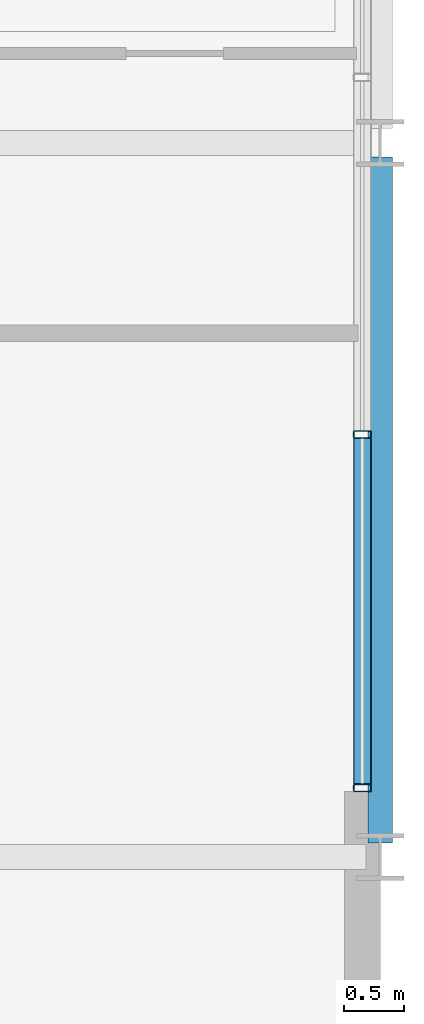
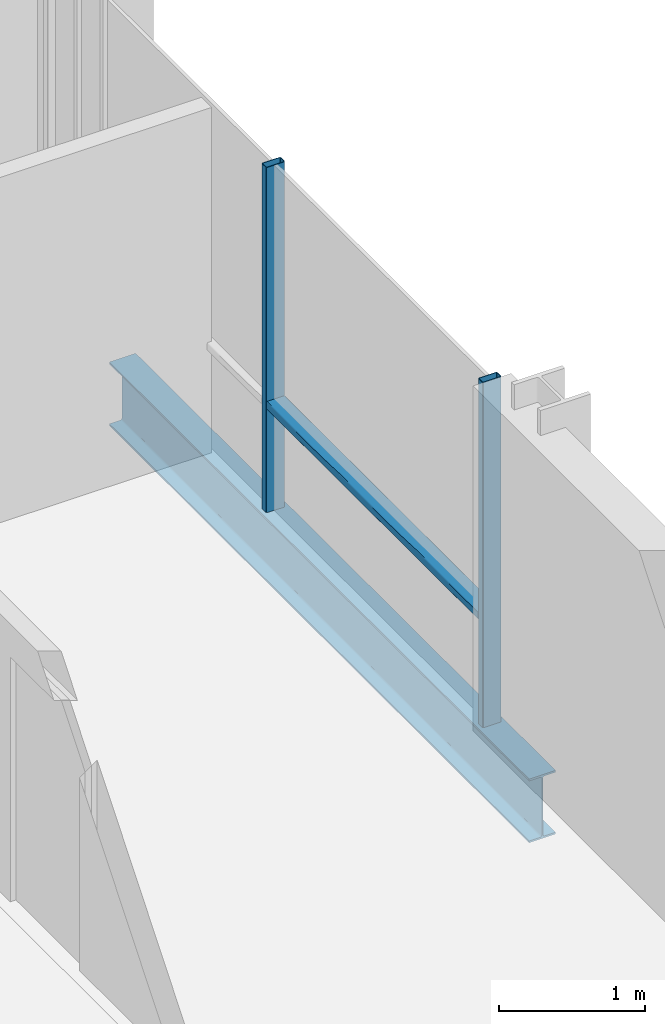
# One storey, part 18 of 35: 3 members, 1 beam, 1 element without a shape of its own.
"""IFC4 building model written with IfcOpenShell, lengths in metres."""

from ifc_helpers import new_model, si_unit, direction, frame, origin, origin_2d, place, context, subcontext, project, spatial, hollow_rectangle, i_section, extrude, material, layer, layer_set, material_profile, profile_set, type_object, element, aggregate, save


model = new_model("IFC4")

# Units and contexts
model_context = context("Model", 3, precision=1e-05, world=origin(), true_north=direction((0.0, 1.0)))
body_context = subcontext(model_context, "Body", "Model", "MODEL_VIEW")
ifc_project = project(units=[si_unit("LENGTHUNIT", "METRE"), si_unit("AREAUNIT", "SQUARE_METRE"), si_unit("VOLUMEUNIT", "CUBIC_METRE"), si_unit("PLANEANGLEUNIT", "RADIAN"), si_unit("MASSUNIT", "GRAM", prefix="KILO")], contexts=[model_context])

# Site, building, storey
site_placement = place(None, origin())
site = spatial("IfcSite", under=ifc_project, at=site_placement, CompositionType="ELEMENT")
building_placement = place(site_placement, origin())
building = spatial("IfcBuilding", under=site, at=building_placement, Name="Brevholm Reach", CompositionType="ELEMENT")
storey_placement = place(building_placement, frame((0.0, 0.0, 183.199951171875)))
storey = spatial("IfcBuildingStorey", under=building, at=storey_placement, Name="L55", CompositionType="ELEMENT", Elevation=183.199951171875)

# Beam
ifc_material_1 = material(Name="Structural Steel S355J2", Category="steel")
ifc_material_profile_1 = material_profile(ifc_material_1, i_section(OverallWidth=0.209228515625, OverallDepth=0.533203125, WebThickness=0.010009765625, FlangeThickness=0.015625, FilletRadius=0.0126953125, at=origin_2d()), Name="UKB 533x210x92")
ifc_profile_set_1 = profile_set([ifc_material_profile_1], Name="Structural Steel S355J2")
beam_type = type_object("IfcBeamType", Name="BM-SP533", PredefinedType="SPANDREL", material=ifc_profile_set_1)
beam_placement = place(storey_placement, frame((60.0, 10.1201171875, -0.4765625), z_axis=(0.0, 1.0, 0.0), x_axis=(-1.0, 0.0, 0.0)))
element("IfcBeam", 1, at=beam_placement, inside=storey, type_object=beam_type, Name="L55 SP-02 Framing Beam", PredefinedType="SPANDREL", context=body_context, shape_type="SweptSolid", body=[
    extrude(i_section(OverallWidth=0.209228515625, OverallDepth=0.533203125, WebThickness=0.010009765625, FlangeThickness=0.015625, FilletRadius=0.0126953125, at=origin_2d()), origin(), (0.0, 0.0, 1.0), 5.759765625),
])

# Curtain wall, members
ifc_material_2 = material(Name="Dark Anodised Aluminium 6063-T6 and Solar-Control Glass", Category="aluminium")
ifc_layer = layer(ifc_material_2, 0.14990234375)
ifc_layer_set = layer_set([ifc_layer], Name="Dark Anodised Aluminium 6063-T6 and Solar-Control Glass")
curtain_wall_type = type_object("IfcCurtainWallType", Name="CW-01", PredefinedType="NOTDEFINED", material=ifc_layer_set)
curtain_wall_placement = place(storey_placement, origin())
curtain_wall = element("IfcCurtainWall", 2, at=curtain_wall_placement, inside=storey, type_object=curtain_wall_type, Name="L55 Curtain Wall CW-01", PredefinedType="NOTDEFINED")
ifc_material_3 = material(Name="Dark Anodised Aluminium 6063-T6", Category="aluminium")
ifc_material_profile_2 = material_profile(ifc_material_3, hollow_rectangle(XDim=0.06494140625, YDim=0.14990234375, WallThickness=0.0048828125, InnerFilletRadius=0.0048828125, OuterFilletRadius=0.010009765625, at=origin_2d()), Name="RHS 150x65x5")
ifc_profile_set_2 = profile_set([ifc_material_profile_2], Name="Dark Anodised Aluminium 6063-T6")
member_type_1 = type_object("IfcMemberType", Name="CWM-150", PredefinedType="MULLION", material=ifc_profile_set_2)
member_1_placement = place(storey_placement, frame((59.85009765625, 10.58251953125, 0.0), z_axis=(0.0, 0.0, 1.0), x_axis=(0.0, 1.0, 0.0)))
member_1 = element("IfcMember", 3, at=member_1_placement, type_object=member_type_1, Name="CM-150 Mullion 1", PredefinedType="MULLION", context=body_context, shape_type="SweptSolid", body=[
    extrude(hollow_rectangle(XDim=0.06494140625, YDim=0.14990234375, WallThickness=0.0048828125, InnerFilletRadius=0.0048828125, OuterFilletRadius=0.010009765625, at=origin_2d()), origin(), (0.0, 0.0, 1.0), 2.89013671875),
])
member_2_placement = place(storey_placement, frame((59.85009765625, 13.550048828125, 0.0), z_axis=(0.0, 0.0, 1.0), x_axis=(0.0, 1.0, 0.0)))
member_2 = element("IfcMember", 4, at=member_2_placement, type_object=member_type_1, Name="CM-150 Mullion 2", PredefinedType="MULLION", context=body_context, shape_type="SweptSolid", body=[
    extrude(hollow_rectangle(XDim=0.06494140625, YDim=0.14990234375, WallThickness=0.0048828125, InnerFilletRadius=0.0048828125, OuterFilletRadius=0.010009765625, at=origin_2d()), origin(), (0.0, 0.0, 1.0), 2.89013671875),
])
ifc_material_4 = material(Name="Dark Anodised Aluminium 6063-T6", Category="aluminium")
ifc_material_profile_3 = material_profile(ifc_material_4, hollow_rectangle(XDim=0.06494140625, YDim=0.14990234375, WallThickness=0.0048828125, InnerFilletRadius=0.0048828125, OuterFilletRadius=0.010009765625, at=origin_2d()), Name="RHS 150x65x5")
ifc_profile_set_3 = profile_set([ifc_material_profile_3], Name="Dark Anodised Aluminium 6063-T6")
member_type_2 = type_object("IfcMemberType", Name="CWT-150", PredefinedType="NOTDEFINED", material=ifc_profile_set_3)
member_3_placement = place(storey_placement, frame((59.85009765625, 10.614990234375, 0.900146484375), z_axis=(0.0, 1.0, 0.0), x_axis=(0.0, 0.0, 1.0)))
member_3 = element("IfcMember", 5, at=member_3_placement, type_object=member_type_2, Name="CT-150 Transom 1.1", ObjectType="TRANSOM", PredefinedType="USERDEFINED", context=body_context, shape_type="SweptSolid", body=[
    extrude(hollow_rectangle(XDim=0.06494140625, YDim=0.14990234375, WallThickness=0.0048828125, InnerFilletRadius=0.0048828125, OuterFilletRadius=0.010009765625, at=origin_2d()), origin(), (0.0, 0.0, 1.0), 2.902587890625),
])
aggregate(curtain_wall, [member_1, member_2, member_3])

save(model, "model.ifc")
